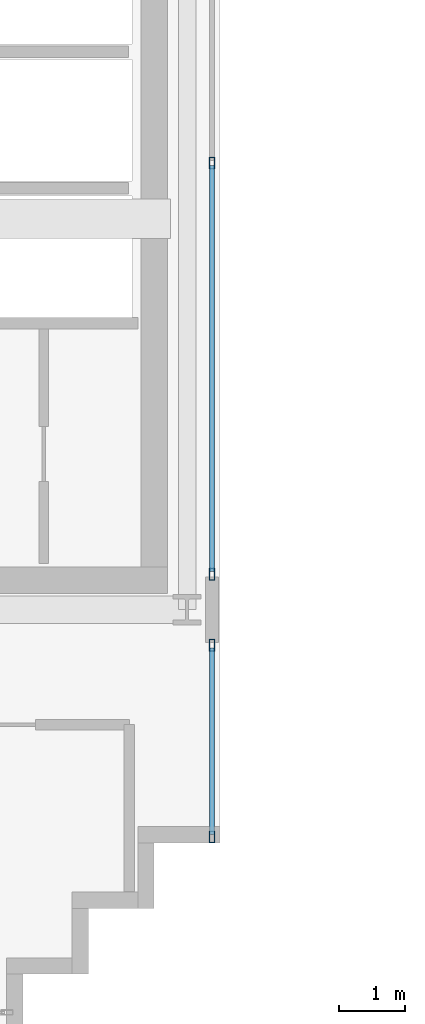
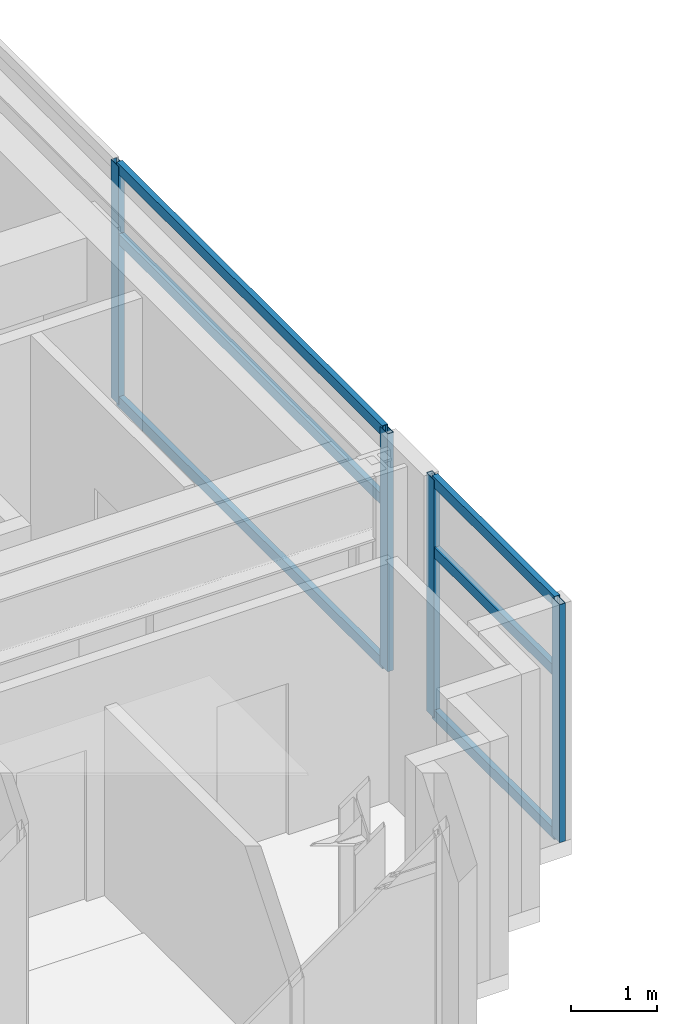
# One storey, part 4 of 25: 10 members, 2 elements without a shape of their own.
"""IFC4 building model written with IfcOpenShell, lengths in metres."""

from ifc_helpers import new_model, si_unit, direction, frame, origin, origin_2d, place, context, subcontext, project, spatial, hollow_rectangle, extrude, source, transform, mapped, material, layer, layer_set, material_profile, profile_set, type_object, element, aggregate, save


model = new_model("IFC4")

# Units and contexts
model_context = context("Model", 3, precision=1e-05, world=origin(), true_north=direction((0.0, 1.0)))
body_context = subcontext(model_context, "Body", "Model", "MODEL_VIEW")
ifc_project = project(units=[si_unit("LENGTHUNIT", "METRE"), si_unit("AREAUNIT", "SQUARE_METRE"), si_unit("VOLUMEUNIT", "CUBIC_METRE"), si_unit("PLANEANGLEUNIT", "RADIAN"), si_unit("MASSUNIT", "GRAM", prefix="KILO")], contexts=[model_context])

# Site, building, storey
site_placement = place(None, origin())
site = spatial("IfcSite", under=ifc_project, at=site_placement, CompositionType="ELEMENT")
building_placement = place(site_placement, origin())
building = spatial("IfcBuilding", under=site, at=building_placement, Name="Ocotamira Hotel", CompositionType="ELEMENT")
storey_placement = place(building_placement, frame((0.0, 0.0, 265.199951171875)))
storey = spatial("IfcBuildingStorey", under=building, at=storey_placement, Name="L67", CompositionType="ELEMENT", Elevation=265.199951171875)

# Curtain wall, members
ifc_material_1 = material(Name="Anodised pale-metal aluminium and solar glass", Category="aluminium")
ifc_layer = layer(ifc_material_1, 0.2099609375)
ifc_layer_set = layer_set([ifc_layer], Name="Anodised pale-metal aluminium and solar glass")
curtain_wall_type = type_object("IfcCurtainWallType", Name="CW-SYS7-PEAK", PredefinedType="NOTDEFINED", material=ifc_layer_set)
curtain_wall_1_placement = place(storey_placement, origin())
curtain_wall_1 = element("IfcCurtainWall", 1, at=curtain_wall_1_placement, inside=storey, type_object=curtain_wall_type, Name="L67 Curtain Wall CW-7 CW-L67-WI1", PredefinedType="NOTDEFINED")
ifc_material_2 = material(Name="Anodised pale-metal aluminium 6063-T6", Category="aluminium")
ifc_material_profile_1 = material_profile(ifc_material_2, hollow_rectangle(XDim=0.080078125, YDim=0.179931640625, WallThickness=0.006103515625, at=origin_2d()), Name="HSS180X80X6")
ifc_profile_set_1 = profile_set([ifc_material_profile_1], Name="Anodised pale-metal aluminium 6063-T6")
member_type_1 = type_object("IfcMemberType", Name="CWM-180X75", PredefinedType="MULLION", material=ifc_profile_set_1)
shared_shape_1 = source(origin(), body_context, "Body", "SweptSolid", [
    extrude(hollow_rectangle(XDim=0.080078125, YDim=0.179931640625, WallThickness=0.006103515625, at=origin_2d()), origin(), (0.0, 0.0, 1.0), 3.380126953125),
])
member_1_placement = place(storey_placement, frame((23.8798828125, 11.090087890625, 0.0), z_axis=(0.0, 0.0, 1.0), x_axis=(-1.0, 0.0, 0.0)))
member_1 = element("IfcMember", 2, at=member_1_placement, type_object=member_type_1, Name="CW-7 mullion 1", PredefinedType="MULLION", context=body_context, shape_type="MappedRepresentation", body=[
    mapped(shared_shape_1, transform((0.0, 0.0, 0.0), scale=1.0)),
])
member_2_placement = place(storey_placement, frame((23.8798828125, 14.010009765625, 0.0), z_axis=(0.0, 0.0, 1.0), x_axis=(-1.0, 0.0, 0.0)))
member_2 = element("IfcMember", 3, at=member_2_placement, type_object=member_type_1, Name="CW-7 mullion 2", PredefinedType="MULLION", context=body_context, shape_type="MappedRepresentation", body=[
    mapped(shared_shape_1, transform((0.0, 0.0, 0.0), scale=1.0)),
])

curtain_wall_2_placement = place(storey_placement, origin())
curtain_wall_2 = element("IfcCurtainWall", 4, at=curtain_wall_2_placement, inside=storey, type_object=curtain_wall_type, Name="L67 Curtain Wall CW-7 CW-L67-WI2", PredefinedType="NOTDEFINED")
member_3_placement = place(storey_placement, frame((23.8798828125, 15.090087890625, 0.0), z_axis=(0.0, 0.0, 1.0), x_axis=(-1.0, 0.0, 0.0)))
member_3 = element("IfcMember", 5, at=member_3_placement, type_object=member_type_1, Name="CW-7 mullion 1", PredefinedType="MULLION", context=body_context, shape_type="MappedRepresentation", body=[
    mapped(shared_shape_1, transform((0.0, 0.0, 0.0), scale=1.0)),
])
member_4_placement = place(storey_placement, frame((23.8798828125, 21.35009765625, 0.0), z_axis=(0.0, 0.0, 1.0), x_axis=(-1.0, 0.0, 0.0)))
member_4 = element("IfcMember", 6, at=member_4_placement, type_object=member_type_1, Name="CW-7 mullion 2", PredefinedType="MULLION", context=body_context, shape_type="MappedRepresentation", body=[
    mapped(shared_shape_1, transform((0.0, 0.0, 0.0), scale=1.0)),
])

# Member
ifc_material_profile_2 = material_profile(ifc_material_2, hollow_rectangle(XDim=0.074951171875, YDim=0.14990234375, WallThickness=0.006103515625, at=origin_2d()), Name="HSS150X75X6")
ifc_profile_set_2 = profile_set([ifc_material_profile_2], Name="Anodised pale-metal aluminium 6063-T6")
member_type_2 = type_object("IfcMemberType", Name="CWT-150X75", PredefinedType="USERDEFINED", material=ifc_profile_set_2)
shared_shape_2 = source(origin(), body_context, "Body", "SweptSolid", [
    extrude(hollow_rectangle(XDim=0.074951171875, YDim=0.14990234375, WallThickness=0.006103515625, at=origin_2d()), origin(), (0.0, 0.0, 1.0), 2.840087890625),
])
member_5_placement = place(storey_placement, frame((23.8798828125, 11.1298828125, 0.03759765625), z_axis=(0.0, 1.0, 0.0), x_axis=(-1.0, 0.0, 0.0)))
member_5 = element("IfcMember", 7, at=member_5_placement, type_object=member_type_2, Name="CW-7 transom 1.1", ObjectType="TRANSOM", PredefinedType="USERDEFINED", context=body_context, shape_type="MappedRepresentation", body=[
    mapped(shared_shape_2, transform((0.0, 0.0, 0.0), scale=1.0)),
])

member_6_placement = place(storey_placement, frame((23.8798828125, 11.1298828125, 2.35009765625), z_axis=(0.0, 1.0, 0.0), x_axis=(-1.0, 0.0, 0.0)))
member_6 = element("IfcMember", 8, at=member_6_placement, type_object=member_type_2, Name="CW-7 transom 1.2", ObjectType="TRANSOM", PredefinedType="USERDEFINED", context=body_context, shape_type="MappedRepresentation", body=[
    mapped(shared_shape_2, transform((0.0, 0.0, 0.0), scale=1.0)),
])

member_7_placement = place(storey_placement, frame((23.8798828125, 11.1298828125, 3.342529296875), z_axis=(0.0, 1.0, 0.0), x_axis=(-1.0, 0.0, 0.0)))
member_7 = element("IfcMember", 9, at=member_7_placement, type_object=member_type_2, Name="CW-7 transom 1.3", ObjectType="TRANSOM", PredefinedType="USERDEFINED", context=body_context, shape_type="MappedRepresentation", body=[
    mapped(shared_shape_2, transform((0.0, 0.0, 0.0), scale=1.0)),
])

aggregate(curtain_wall_1, [member_1, member_2, member_5, member_6, member_7])

shared_shape_3 = source(origin(), body_context, "Body", "SweptSolid", [
    extrude(hollow_rectangle(XDim=0.074951171875, YDim=0.14990234375, WallThickness=0.006103515625, at=origin_2d()), origin(), (0.0, 0.0, 1.0), 6.18017578125),
])
member_8_placement = place(storey_placement, frame((23.8798828125, 15.1298828125, 0.03759765625), z_axis=(0.0, 1.0, 0.0), x_axis=(-1.0, 0.0, 0.0)))
member_8 = element("IfcMember", 10, at=member_8_placement, type_object=member_type_2, Name="CW-7 transom 1.1", ObjectType="TRANSOM", PredefinedType="USERDEFINED", context=body_context, shape_type="MappedRepresentation", body=[
    mapped(shared_shape_3, transform((0.0, 0.0, 0.0), scale=1.0)),
])

member_9_placement = place(storey_placement, frame((23.8798828125, 15.1298828125, 2.35009765625), z_axis=(0.0, 1.0, 0.0), x_axis=(-1.0, 0.0, 0.0)))
member_9 = element("IfcMember", 11, at=member_9_placement, type_object=member_type_2, Name="CW-7 transom 1.2", ObjectType="TRANSOM", PredefinedType="USERDEFINED", context=body_context, shape_type="MappedRepresentation", body=[
    mapped(shared_shape_3, transform((0.0, 0.0, 0.0), scale=1.0)),
])

member_10_placement = place(storey_placement, frame((23.8798828125, 15.1298828125, 3.342529296875), z_axis=(0.0, 1.0, 0.0), x_axis=(-1.0, 0.0, 0.0)))
member_10 = element("IfcMember", 12, at=member_10_placement, type_object=member_type_2, Name="CW-7 transom 1.3", ObjectType="TRANSOM", PredefinedType="USERDEFINED", context=body_context, shape_type="MappedRepresentation", body=[
    mapped(shared_shape_3, transform((0.0, 0.0, 0.0), scale=1.0)),
])

aggregate(curtain_wall_2, [member_3, member_4, member_8, member_9, member_10])

save(model, "model.ifc")
